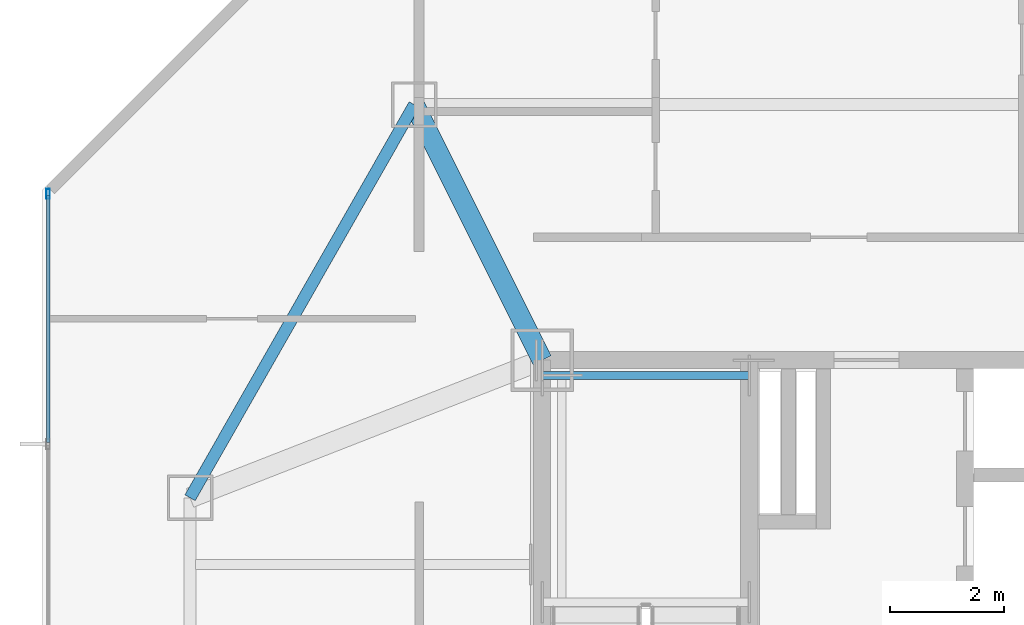
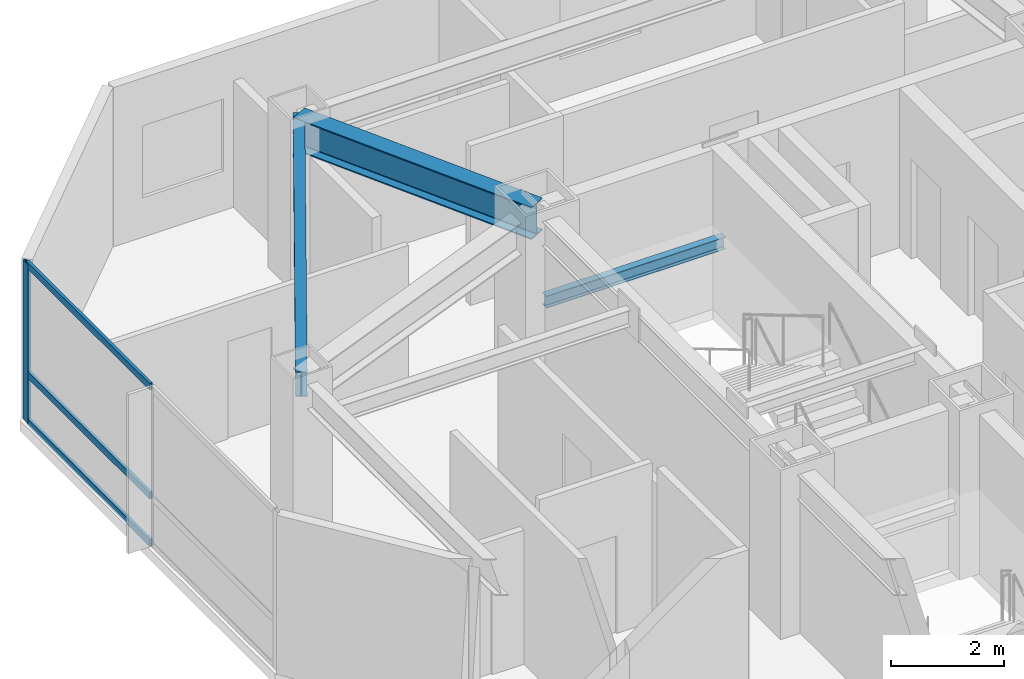
# One storey, part 7 of 15: 4 members, 3 beams, 1 element without a shape of its own.
"""IFC4 building model written with IfcOpenShell, lengths in metres."""

from ifc_helpers import new_model, si_unit, direction, frame, origin, origin_2d, place, context, subcontext, project, spatial, hollow_rectangle, i_section, extrude, material, material_profile, profile_set, type_object, element, aggregate, save


model = new_model("IFC4")

# Units and contexts
model_context = context("Model", 3, precision=1e-05, world=origin(), true_north=direction((0.0, 1.0)))
body_context = subcontext(model_context, "Body", "Model", "MODEL_VIEW")
ifc_project = project(units=[si_unit("LENGTHUNIT", "METRE"), si_unit("AREAUNIT", "SQUARE_METRE"), si_unit("VOLUMEUNIT", "CUBIC_METRE"), si_unit("PLANEANGLEUNIT", "RADIAN"), si_unit("MASSUNIT", "GRAM", prefix="KILO")], contexts=[model_context])

# Site, building, storey
site_placement = place(None, origin())
site = spatial("IfcSite", under=ifc_project, at=site_placement, CompositionType="ELEMENT")
building_placement = place(site_placement, origin())
building = spatial("IfcBuilding", under=site, at=building_placement, Name="Khamvora Tower", CompositionType="ELEMENT")
storey_placement = place(building_placement, frame((0.0, 0.0, 220.85009765625)))
storey = spatial("IfcBuildingStorey", under=building, at=storey_placement, Name="L56", CompositionType="ELEMENT", Elevation=220.85009765625)

# Beams
ifc_material_1 = material(Name="Steel S355", Category="steel")
ifc_material_profile_1 = material_profile(ifc_material_1, i_section(OverallWidth=0.14697265625, OverallDepth=0.261962890625, WebThickness=0.007080078125, FlangeThickness=0.010986328125, FilletRadius=0.008056640625, at=origin_2d()), Name="W250x39")
ifc_profile_set_1 = profile_set([ifc_material_profile_1], Name="Steel S355")
beam_type_1 = type_object("IfcBeamType", Name="BM-LN-W250x39", PredefinedType="LINTEL", material=ifc_profile_set_1)
beam_1_placement = place(storey_placement, frame((29.0, 36.72998046875, 1.493896484375), z_axis=(1.0, 0.0, 0.0), x_axis=(0.0, 1.0, 0.0)))
element("IfcBeam", 1, at=beam_1_placement, inside=storey, type_object=beam_type_1, Name="L56 ST-02 half-landing support beam 1.2", PredefinedType="LINTEL", context=body_context, shape_type="SweptSolid", body=[
    extrude(i_section(OverallWidth=0.14697265625, OverallDepth=0.261962890625, WebThickness=0.007080078125, FlangeThickness=0.010986328125, FilletRadius=0.008056640625, at=origin_2d()), origin(), (0.0, 0.0, 1.0), 3.64990234375),
])
ifc_material_profile_2 = material_profile(ifc_material_1, i_section(OverallWidth=0.35498046875, OverallDepth=0.695068359375, WebThickness=0.014892578125, FlangeThickness=0.02490234375, FilletRadius=0.01611328125, at=origin_2d()), Name="W690x217")
ifc_profile_set_2 = profile_set([ifc_material_profile_2], Name="Steel S355")
beam_type_2 = type_object("IfcBeamType", Name="BM-PG-W690x217", PredefinedType="BEAM", material=ifc_profile_set_2)
beam_2_placement = place(storey_placement, frame((29.0, 37.0, 3.0830078125), z_axis=(-0.4472135955, 0.894427191, 0.0), x_axis=(-0.894427191, -0.4472135955, 0.0)))
element("IfcBeam", 2, at=beam_2_placement, inside=storey, type_object=beam_type_2, Name="L56 primary floor girder N1", PredefinedType="BEAM", context=body_context, shape_type="SweptSolid", body=[
    extrude(i_section(OverallWidth=0.35498046875, OverallDepth=0.695068359375, WebThickness=0.014892578125, FlangeThickness=0.02490234375, FilletRadius=0.01611328125, at=origin_2d()), origin(), (0.0, 0.0, 1.0), 5.03125),
])
ifc_material_profile_3 = material_profile(ifc_material_1, i_section(OverallWidth=0.208984375, OverallDepth=0.532958984375, WebThickness=0.010009765625, FlangeThickness=0.01611328125, FilletRadius=0.013916015625, at=origin_2d()), Name="W530x92")
ifc_profile_set_3 = profile_set([ifc_material_profile_3], Name="Steel S355")
beam_type_3 = type_object("IfcBeamType", Name="BM-SP-W530x92", PredefinedType="SPANDREL", material=ifc_profile_set_3)
beam_3_placement = place(storey_placement, frame((26.75, 41.5, 3.162841796875), z_axis=(-0.495456118564, -0.868632968853, 0.0), x_axis=(0.868632968853, -0.495456118564, 0.0)))
element("IfcBeam", 3, at=beam_3_placement, inside=storey, type_object=beam_type_3, Name="L56 perimeter spandrel beam N1-W2", PredefinedType="SPANDREL", context=body_context, shape_type="SweptSolid", body=[
    extrude(i_section(OverallWidth=0.208984375, OverallDepth=0.532958984375, WebThickness=0.010009765625, FlangeThickness=0.01611328125, FilletRadius=0.013916015625, at=origin_2d()), origin(), (0.0, 0.0, 1.0), 7.972412109375),
])

# Curtain wall, members
ifc_material_2 = material(Name="Anodised Aluminium 6063-T6", Category="aluminium")
curtain_wall_type = type_object("IfcCurtainWallType", Name="CW-SYS-05", PredefinedType="NOTDEFINED", material=ifc_material_2)
curtain_wall_placement = place(storey_placement, origin())
curtain_wall = element("IfcCurtainWall", 4, at=curtain_wall_placement, inside=storey, type_object=curtain_wall_type, Name="L56 stick curtain wall 05.1", PredefinedType="NOTDEFINED")
ifc_material_profile_4 = material_profile(ifc_material_2, hollow_rectangle(XDim=0.06005859375, YDim=0.175048828125, WallThickness=0.0048828125, at=origin_2d()), Name="MUL60x175x5")
ifc_profile_set_4 = profile_set([ifc_material_profile_4], Name="Anodised Aluminium 6063-T6")
member_type_1 = type_object("IfcMemberType", Name="CW-SYS-05-MUL", PredefinedType="MULLION", material=ifc_profile_set_4)
member_1_placement = place(storey_placement, frame((20.300048828125, 39.928955078125, 0.0), z_axis=(0.0, 0.0, 1.0), x_axis=(-1.0, 0.0, 0.0)))
member_1 = element("IfcMember", 5, at=member_1_placement, type_object=member_type_1, Name="CW-05 mullion 3", PredefinedType="MULLION", context=body_context, shape_type="SweptSolid", body=[
    extrude(hollow_rectangle(XDim=0.06005859375, YDim=0.175048828125, WallThickness=0.0048828125, at=origin_2d()), origin(), (0.0, 0.0, 1.0), 3.429931640625),
])
ifc_material_profile_5 = material_profile(ifc_material_2, hollow_rectangle(XDim=0.06005859375, YDim=0.14501953125, WallThickness=0.0048828125, at=origin_2d()), Name="TRN60x145x5")
ifc_profile_set_5 = profile_set([ifc_material_profile_5], Name="Anodised Aluminium 6063-T6")
member_type_2 = type_object("IfcMemberType", Name="CW-SYS-05-TRN", PredefinedType="USERDEFINED", material=ifc_profile_set_5)
member_2_placement = place(storey_placement, frame((20.300048828125, 35.551513671875, 0.02978515625), z_axis=(0.0, 1.0, 0.0), x_axis=(-1.0, 0.0, 0.0)))
member_2 = element("IfcMember", 6, at=member_2_placement, type_object=member_type_2, Name="CW-05 transom 2.1", ObjectType="TRANSOM", PredefinedType="USERDEFINED", context=body_context, shape_type="SweptSolid", body=[
    extrude(hollow_rectangle(XDim=0.06005859375, YDim=0.14501953125, WallThickness=0.0048828125, at=origin_2d()), origin(), (0.0, 0.0, 1.0), 4.347412109375),
])
member_3_placement = place(storey_placement, frame((20.300048828125, 35.551513671875, 1.0498046875), z_axis=(0.0, 1.0, 0.0), x_axis=(-1.0, 0.0, 0.0)))
member_3 = element("IfcMember", 7, at=member_3_placement, type_object=member_type_2, Name="CW-05 transom 2.2", ObjectType="TRANSOM", PredefinedType="USERDEFINED", context=body_context, shape_type="SweptSolid", body=[
    extrude(hollow_rectangle(XDim=0.06005859375, YDim=0.14501953125, WallThickness=0.0048828125, at=origin_2d()), origin(), (0.0, 0.0, 1.0), 4.347412109375),
])
member_4_placement = place(storey_placement, frame((20.300048828125, 35.551513671875, 3.39990234375), z_axis=(0.0, 1.0, 0.0), x_axis=(-1.0, 0.0, 0.0)))
member_4 = element("IfcMember", 8, at=member_4_placement, type_object=member_type_2, Name="CW-05 transom 2.3", ObjectType="TRANSOM", PredefinedType="USERDEFINED", context=body_context, shape_type="SweptSolid", body=[
    extrude(hollow_rectangle(XDim=0.06005859375, YDim=0.14501953125, WallThickness=0.0048828125, at=origin_2d()), origin(), (0.0, 0.0, 1.0), 4.347412109375),
])
aggregate(curtain_wall, [member_1, member_2, member_3, member_4])

save(model, "model.ifc")
